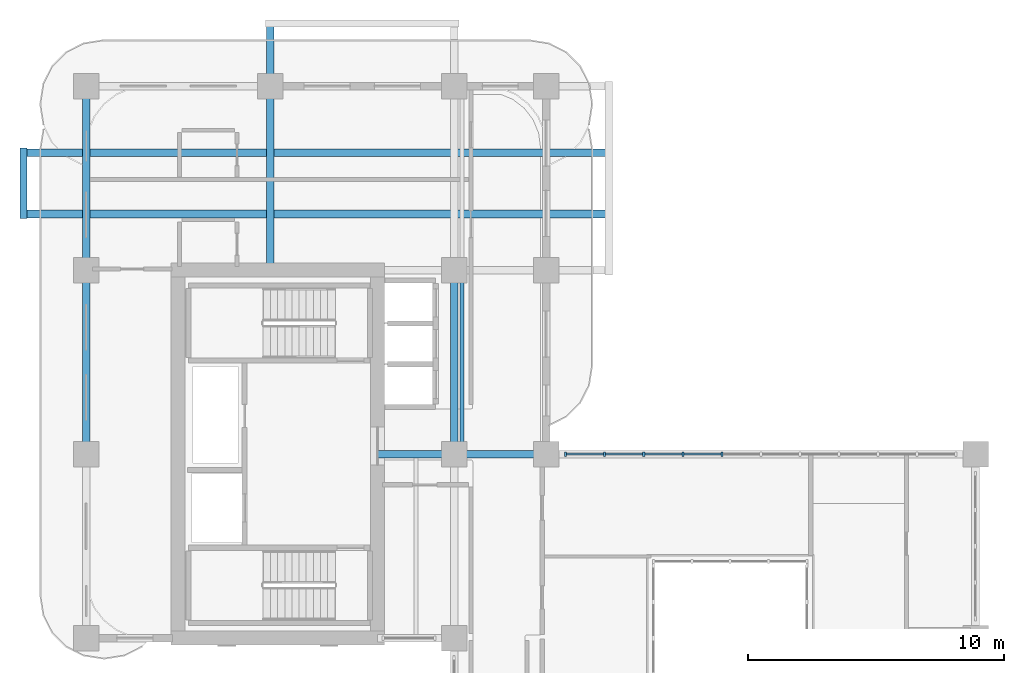
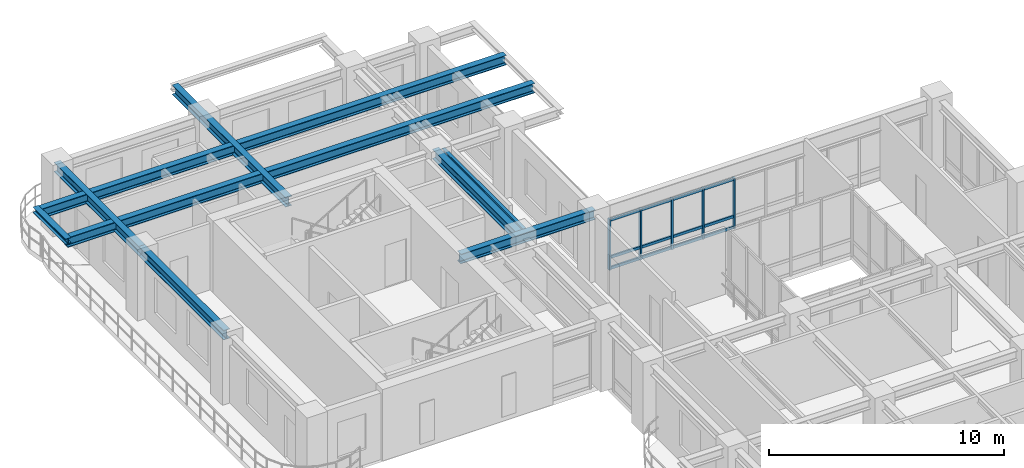
# One storey, part 5 of 20: 17 members, 9 beams, 1 element without a shape of its own.
"""IFC4 building model written with IfcOpenShell, lengths in metres."""

from ifc_helpers import new_model, si_unit, derived_unit, direction, frame, origin, origin_2d, place, context, subcontext, project, spatial, rectangle, i_section, extrude, source, transform, mapped, material, layer, layer_set, material_profile, profile_set, type_object, type_shapes, element, aggregate, save


model = new_model("IFC4")

# Units and contexts
model_context = context("Model", 3, precision=1e-05, world=origin(), true_north=direction((0.0, 1.0)))
body_context = subcontext(model_context, "Body", "Model", "MODEL_VIEW")
ifc_project = project(units=[si_unit("LENGTHUNIT", "METRE"), si_unit("AREAUNIT", "SQUARE_METRE"), si_unit("VOLUMEUNIT", "CUBIC_METRE"), si_unit("PLANEANGLEUNIT", "RADIAN"), si_unit("MASSUNIT", "GRAM", prefix="KILO"), si_unit("THERMODYNAMICTEMPERATUREUNIT", "KELVIN"), si_unit("POWERUNIT", "WATT"), derived_unit("THERMALTRANSMITTANCEUNIT", [(si_unit("POWERUNIT", "WATT"), 1), (si_unit("AREAUNIT", "SQUARE_METRE"), -1), (si_unit("THERMODYNAMICTEMPERATUREUNIT", "KELVIN"), -1)])], contexts=[model_context])

# Site, building, storey
site_placement = place(None, origin())
site = spatial("IfcSite", under=ifc_project, at=site_placement, CompositionType="ELEMENT")
building_placement = place(site_placement, origin())
building = spatial("IfcBuilding", under=site, at=building_placement, Name="Zahravan Archway Hotel and Residences", CompositionType="ELEMENT")
storey_placement = place(building_placement, frame((0.0, 0.0, 119.199951171875)))
storey = spatial("IfcBuildingStorey", under=building, at=storey_placement, Name="L29", CompositionType="ELEMENT", Elevation=119.199951171875)

# Beams
ifc_material_1 = material(Name="Structural Steel S355JR", Category="steel")
ifc_material_profile_1 = material_profile(ifc_material_1, i_section(OverallWidth=0.280029296875, OverallDepth=0.280029296875, WebThickness=0.010498046875, FlangeThickness=0.01806640625, FilletRadius=0.02392578125, at=origin_2d()), Name="HEB 280", Category="steel")
ifc_profile_set_1 = profile_set([ifc_material_profile_1], Name="Structural Steel S355JR")
beam_type_1 = type_object("IfcBeamType", Name="BM-SPN-HEB280", PredefinedType="SPANDREL", material=ifc_profile_set_1)
shared_shape_1 = source(origin(), body_context, "Body", "SweptSolid", [
    extrude(i_section(OverallWidth=0.280029296875, OverallDepth=0.280029296875, WebThickness=0.010498046875, FlangeThickness=0.01806640625, FilletRadius=0.02392578125, at=origin_2d()), origin(), (0.0, 0.0, 1.0), 2.759765625),
])
beam_1_placement = place(storey_placement, frame((-2.449951171875, 41.6201171875, 3.31005859375), z_axis=(0.0, 1.0, 0.0), x_axis=(-1.0, 0.0, 0.0)))
element("IfcBeam", 1, at=beam_1_placement, inside=storey, type_object=beam_type_1, Name="L30 WB Balcony Edge Spandrel", PredefinedType="SPANDREL", context=body_context, shape_type="MappedRepresentation", body=[
    mapped(shared_shape_1, transform((0.0, 0.0, 0.0), scale=1.0)),
])
ifc_material_profile_2 = material_profile(ifc_material_1, i_section(OverallWidth=0.300048828125, OverallDepth=0.5, WebThickness=0.014404296875, FlangeThickness=0.028076171875, FilletRadius=0.027099609375, at=origin_2d()), Name="HEB 500", Category="steel")
ifc_profile_set_2 = profile_set([ifc_material_profile_2], Name="Structural Steel S355JR")
beam_type_2 = type_object("IfcBeamType", Name="BM-PRI-HEB500", PredefinedType="BEAM", material=ifc_profile_set_2)
shared_shape_2 = source(origin(), body_context, "Body", "SweptSolid", [
    extrude(i_section(OverallWidth=0.300048828125, OverallDepth=0.5, WebThickness=0.014404296875, FlangeThickness=0.028076171875, FilletRadius=0.027099609375, at=origin_2d()), origin(), (0.0, 0.0, 1.0), 7.2001953125),
])
type_shapes(beam_type_2, [shared_shape_2])
for number, where, z_axis, x_axis, name in (
    (2, (0.0, 32.39990234375, 3.199951171875), (0.0, 1.0, 0.0), (-1.0, 0.0, 0.0), "L29 Primary Girder NS-25"),
    (3, (14.39990234375, 32.39990234375, 3.199951171875), (0.0, 1.0, 0.0), (-1.0, 0.0, 0.0), "L29 Primary Girder NS-33"),
):
    element("IfcBeam", number, at=place(storey_placement, frame(where, z_axis=z_axis, x_axis=x_axis)), inside=storey, type_object=beam_type_2, Name=name, PredefinedType="BEAM", context=body_context, shape_type="MappedRepresentation", body=[
        mapped(shared_shape_2, transform((0.0, 0.0, 0.0), scale=1.0)),
    ])
shared_shape_3 = source(origin(), body_context, "Body", "SweptSolid", [
    extrude(i_section(OverallWidth=0.300048828125, OverallDepth=0.5, WebThickness=0.014404296875, FlangeThickness=0.028076171875, FilletRadius=0.027099609375, at=origin_2d()), origin(), (0.0, 0.0, 1.0), 7.199951171875),
])
beam_2_placement = place(storey_placement, frame((0.0, 39.60009765625, 3.199951171875), z_axis=(0.0, 1.0, 0.0), x_axis=(-1.0, 0.0, 0.0)))
element("IfcBeam", 4, at=beam_2_placement, inside=storey, type_object=beam_type_2, Name="L29 Primary Girder NS-26", PredefinedType="BEAM", context=body_context, shape_type="MappedRepresentation", body=[
    mapped(shared_shape_3, transform((0.0, 0.0, 0.0), scale=1.0)),
])
shared_shape_4 = source(origin(), body_context, "Body", "SweptSolid", [
    extrude(i_section(OverallWidth=0.300048828125, OverallDepth=0.5, WebThickness=0.014404296875, FlangeThickness=0.028076171875, FilletRadius=0.027099609375, at=origin_2d()), origin(), (0.0, 0.0, 1.0), 6.60009765625),
])
beam_3_placement = place(storey_placement, frame((11.39990234375, 32.39990234375, 3.199951171875), z_axis=(1.0, 0.0, 0.0), x_axis=(0.0, 1.0, 0.0)))
element("IfcBeam", 5, at=beam_3_placement, inside=storey, type_object=beam_type_2, Name="L29 Primary Girder EW-17", PredefinedType="BEAM", context=body_context, shape_type="MappedRepresentation", body=[
    mapped(shared_shape_4, transform((0.0, 0.0, 0.0), scale=1.0)),
])
shared_shape_5 = source(origin(), body_context, "Body", "SweptSolid", [
    extrude(i_section(OverallWidth=0.300048828125, OverallDepth=0.5, WebThickness=0.014404296875, FlangeThickness=0.028076171875, FilletRadius=0.027099609375, at=origin_2d()), origin(), (0.0, 0.0, 1.0), 22.89990234375),
])
for number, where, z_axis, x_axis, name in (
    (6, (-2.449951171875, 41.800048828125, 3.199951171875), (1.0, 0.0, 0.0), (0.0, 1.0, 0.0), "L29 Primary Girder EW-22"),
    (7, (-2.449951171875, 44.199951171875, 3.199951171875), (1.0, 0.0, 0.0), (0.0, 1.0, 0.0), "L29 Primary Girder EW-23"),
):
    element("IfcBeam", number, at=place(storey_placement, frame(where, z_axis=z_axis, x_axis=x_axis)), inside=storey, type_object=beam_type_2, Name=name, PredefinedType="BEAM", context=body_context, shape_type="MappedRepresentation", body=[
        mapped(shared_shape_5, transform((0.0, 0.0, 0.0), scale=1.0)),
    ])
shared_shape_6 = source(origin(), body_context, "Body", "SweptSolid", [
    extrude(i_section(OverallWidth=0.300048828125, OverallDepth=0.5, WebThickness=0.014404296875, FlangeThickness=0.028076171875, FilletRadius=0.027099609375, at=origin_2d()), origin(), (0.0, 0.0, 1.0), 9.64990234375),
])
beam_4_placement = place(storey_placement, frame((7.199951171875, 39.60009765625, 3.199951171875), z_axis=(0.0, 1.0, 0.0), x_axis=(-1.0, 0.0, 0.0)))
element("IfcBeam", 8, at=beam_4_placement, inside=storey, type_object=beam_type_2, Name="L29 Primary Girder NS-27", PredefinedType="BEAM", context=body_context, shape_type="MappedRepresentation", body=[
    mapped(shared_shape_6, transform((0.0, 0.0, 0.0), scale=1.0)),
])
ifc_material_profile_3 = material_profile(ifc_material_1, i_section(OverallWidth=0.159912109375, OverallDepth=0.330078125, WebThickness=0.007568359375, FlangeThickness=0.011474609375, FilletRadius=0.01806640625, at=origin_2d()), Name="IPE 330", Category="steel")
ifc_profile_set_3 = profile_set([ifc_material_profile_3], Name="Structural Steel S355JR")
beam_type_3 = type_object("IfcBeamType", Name="BM-JST-IPE330", PredefinedType="JOIST", material=ifc_profile_set_3)
shared_shape_7 = source(origin(), body_context, "Body", "SweptSolid", [
    extrude(i_section(OverallWidth=0.159912109375, OverallDepth=0.330078125, WebThickness=0.007568359375, FlangeThickness=0.011474609375, FilletRadius=0.01806640625, at=origin_2d()), origin(), (0.0, 0.0, 1.0), 6.90380859375),
])
beam_5_placement = place(storey_placement, frame((14.699951171875, 32.548095703125, 3.28515625), z_axis=(0.0, 1.0, 0.0), x_axis=(-1.0, 0.0, 0.0)))
element("IfcBeam", 9, at=beam_5_placement, inside=storey, type_object=beam_type_3, Name="L29 Composite Floor Joist 11", PredefinedType="JOIST", context=body_context, shape_type="MappedRepresentation", body=[
    mapped(shared_shape_7, transform((0.0, 0.0, 0.0), scale=1.0)),
])

# Curtain wall, members
ifc_material_2 = material(Name="Bronze-Anodized Unitised Aluminium & Low-E Glass", Category="aluminium")
ifc_layer = layer(ifc_material_2, 0.179931640625, Name="Bronze-Anodized Unitised Aluminium & Low-E Glass", Category="aluminium")
ifc_layer_set = layer_set([ifc_layer], Name="Bronze-Anodized Unitised Aluminium & Low-E Glass")
curtain_wall_type = type_object("IfcCurtainWallType", Name="CW-ATR-GLAZ", PredefinedType="NOTDEFINED", material=ifc_layer_set)
curtain_wall_placement = place(storey_placement, origin())
curtain_wall = element("IfcCurtainWall", 10, at=curtain_wall_placement, inside=storey, type_object=curtain_wall_type, Name="L29 Curtain Wall CW-L29-HNG-N-1", PredefinedType="NOTDEFINED")
ifc_material_3 = material(Name="Bronze-Anodized Extruded Aluminium", Category="aluminium")
ifc_material_profile_4 = material_profile(ifc_material_3, rectangle(XDim=0.080078125, YDim=0.159912109375, at=origin_2d()), Name="MUL 80x160", Category="aluminium")
ifc_profile_set_4 = profile_set([ifc_material_profile_4], Name="Bronze-Anodized Extruded Aluminium")
member_type_1 = type_object("IfcMemberType", Name="CWM-MUL-160", PredefinedType="MULLION", material=ifc_profile_set_4)
shared_shape_8 = source(origin(), body_context, "Body", "SweptSolid", [
    extrude(rectangle(XDim=0.080078125, YDim=0.159912109375, at=origin_2d()), origin(), (0.0, 0.0, 1.0), 2.635009765625),
])
member_1_placement = place(storey_placement, frame((18.760009765625, 32.39990234375, 0.0), z_axis=(0.0, 0.0, 1.0), x_axis=(1.0, 0.0, 0.0)))
member_1 = element("IfcMember", 11, at=member_1_placement, type_object=member_type_1, Name="CW-L29-HNG-N-1 Mullion 0", PredefinedType="MULLION", context=body_context, shape_type="MappedRepresentation", body=[
    mapped(shared_shape_8, transform((0.0, 0.0, 0.0), scale=1.0)),
])
member_2_placement = place(storey_placement, frame((20.2880859375, 32.39990234375, 0.0), z_axis=(0.0, 0.0, 1.0), x_axis=(1.0, 0.0, 0.0)))
member_2 = element("IfcMember", 12, at=member_2_placement, type_object=member_type_1, Name="CW-L29-HNG-N-1 Mullion 1", PredefinedType="MULLION", context=body_context, shape_type="MappedRepresentation", body=[
    mapped(shared_shape_8, transform((0.0, 0.0, 0.0), scale=1.0)),
])
member_3_placement = place(storey_placement, frame((21.81591796875, 32.39990234375, 0.0), z_axis=(0.0, 0.0, 1.0), x_axis=(1.0, 0.0, 0.0)))
member_3 = element("IfcMember", 13, at=member_3_placement, type_object=member_type_1, Name="CW-L29-HNG-N-1 Mullion 2", PredefinedType="MULLION", context=body_context, shape_type="MappedRepresentation", body=[
    mapped(shared_shape_8, transform((0.0, 0.0, 0.0), scale=1.0)),
])
member_4_placement = place(storey_placement, frame((23.343994140625, 32.39990234375, 0.0), z_axis=(0.0, 0.0, 1.0), x_axis=(1.0, 0.0, 0.0)))
member_4 = element("IfcMember", 14, at=member_4_placement, type_object=member_type_1, Name="CW-L29-HNG-N-1 Mullion 3", PredefinedType="MULLION", context=body_context, shape_type="MappedRepresentation", body=[
    mapped(shared_shape_8, transform((0.0, 0.0, 0.0), scale=1.0)),
])
member_5_placement = place(storey_placement, frame((24.8720703125, 32.39990234375, 0.0), z_axis=(0.0, 0.0, 1.0), x_axis=(1.0, 0.0, 0.0)))
member_5 = element("IfcMember", 15, at=member_5_placement, type_object=member_type_1, Name="CW-L29-HNG-N-1 Mullion 4", PredefinedType="MULLION", context=body_context, shape_type="MappedRepresentation", body=[
    mapped(shared_shape_8, transform((0.0, 0.0, 0.0), scale=1.0)),
])
ifc_material_profile_5 = material_profile(ifc_material_3, rectangle(XDim=0.080078125, YDim=0.139892578125, at=origin_2d()), Name="TRN 80x140", Category="aluminium")
ifc_profile_set_5 = profile_set([ifc_material_profile_5], Name="Bronze-Anodized Extruded Aluminium")
member_type_2 = type_object("IfcMemberType", Name="CWM-TRN-140", PredefinedType="USERDEFINED", material=ifc_profile_set_5)
shared_shape_9 = source(origin(), body_context, "Body", "SweptSolid", [
    extrude(rectangle(XDim=0.080078125, YDim=0.139892578125, at=origin_2d()), origin(), (0.0, 0.0, 1.0), 1.447998046875),
])
member_6_placement = place(storey_placement, frame((18.800048828125, 32.39990234375, 0.070068359375), z_axis=(1.0, 0.0, 0.0), x_axis=(0.0, 1.0, 0.0)))
member_6 = element("IfcMember", 16, at=member_6_placement, type_object=member_type_2, Name="CW-L29-HNG-N-1 Transom 0-1", ObjectType="TRANSOM", PredefinedType="USERDEFINED", context=body_context, shape_type="MappedRepresentation", body=[
    mapped(shared_shape_9, transform((0.0, 0.0, 0.0), scale=1.0)),
])
member_7_placement = place(storey_placement, frame((18.800048828125, 32.39990234375, 0.632568359375), z_axis=(1.0, 0.0, 0.0), x_axis=(0.0, 1.0, 0.0)))
member_7 = element("IfcMember", 17, at=member_7_placement, type_object=member_type_2, Name="CW-L29-HNG-N-1 Transom 0-2", ObjectType="TRANSOM", PredefinedType="USERDEFINED", context=body_context, shape_type="MappedRepresentation", body=[
    mapped(shared_shape_9, transform((0.0, 0.0, 0.0), scale=1.0)),
])
member_8_placement = place(storey_placement, frame((18.800048828125, 32.39990234375, 2.56494140625), z_axis=(1.0, 0.0, 0.0), x_axis=(0.0, 1.0, 0.0)))
member_8 = element("IfcMember", 18, at=member_8_placement, type_object=member_type_2, Name="CW-L29-HNG-N-1 Transom 0-3", ObjectType="TRANSOM", PredefinedType="USERDEFINED", context=body_context, shape_type="MappedRepresentation", body=[
    mapped(shared_shape_9, transform((0.0, 0.0, 0.0), scale=1.0)),
])
member_9_placement = place(storey_placement, frame((20.327880859375, 32.39990234375, 0.070068359375), z_axis=(1.0, 0.0, 0.0), x_axis=(0.0, 1.0, 0.0)))
member_9 = element("IfcMember", 19, at=member_9_placement, type_object=member_type_2, Name="CW-L29-HNG-N-1 Transom 1-1", ObjectType="TRANSOM", PredefinedType="USERDEFINED", context=body_context, shape_type="MappedRepresentation", body=[
    mapped(shared_shape_9, transform((0.0, 0.0, 0.0), scale=1.0)),
])
member_10_placement = place(storey_placement, frame((20.327880859375, 32.39990234375, 0.632568359375), z_axis=(1.0, 0.0, 0.0), x_axis=(0.0, 1.0, 0.0)))
member_10 = element("IfcMember", 20, at=member_10_placement, type_object=member_type_2, Name="CW-L29-HNG-N-1 Transom 1-2", ObjectType="TRANSOM", PredefinedType="USERDEFINED", context=body_context, shape_type="MappedRepresentation", body=[
    mapped(shared_shape_9, transform((0.0, 0.0, 0.0), scale=1.0)),
])
member_11_placement = place(storey_placement, frame((20.327880859375, 32.39990234375, 2.56494140625), z_axis=(1.0, 0.0, 0.0), x_axis=(0.0, 1.0, 0.0)))
member_11 = element("IfcMember", 21, at=member_11_placement, type_object=member_type_2, Name="CW-L29-HNG-N-1 Transom 1-3", ObjectType="TRANSOM", PredefinedType="USERDEFINED", context=body_context, shape_type="MappedRepresentation", body=[
    mapped(shared_shape_9, transform((0.0, 0.0, 0.0), scale=1.0)),
])
member_12_placement = place(storey_placement, frame((21.85595703125, 32.39990234375, 0.070068359375), z_axis=(1.0, 0.0, 0.0), x_axis=(0.0, 1.0, 0.0)))
member_12 = element("IfcMember", 22, at=member_12_placement, type_object=member_type_2, Name="CW-L29-HNG-N-1 Transom 2-1", ObjectType="TRANSOM", PredefinedType="USERDEFINED", context=body_context, shape_type="MappedRepresentation", body=[
    mapped(shared_shape_9, transform((0.0, 0.0, 0.0), scale=1.0)),
])
member_13_placement = place(storey_placement, frame((21.85595703125, 32.39990234375, 0.632568359375), z_axis=(1.0, 0.0, 0.0), x_axis=(0.0, 1.0, 0.0)))
member_13 = element("IfcMember", 23, at=member_13_placement, type_object=member_type_2, Name="CW-L29-HNG-N-1 Transom 2-2", ObjectType="TRANSOM", PredefinedType="USERDEFINED", context=body_context, shape_type="MappedRepresentation", body=[
    mapped(shared_shape_9, transform((0.0, 0.0, 0.0), scale=1.0)),
])
member_14_placement = place(storey_placement, frame((21.85595703125, 32.39990234375, 2.56494140625), z_axis=(1.0, 0.0, 0.0), x_axis=(0.0, 1.0, 0.0)))
member_14 = element("IfcMember", 24, at=member_14_placement, type_object=member_type_2, Name="CW-L29-HNG-N-1 Transom 2-3", ObjectType="TRANSOM", PredefinedType="USERDEFINED", context=body_context, shape_type="MappedRepresentation", body=[
    mapped(shared_shape_9, transform((0.0, 0.0, 0.0), scale=1.0)),
])
member_15_placement = place(storey_placement, frame((23.384033203125, 32.39990234375, 0.070068359375), z_axis=(1.0, 0.0, 0.0), x_axis=(0.0, 1.0, 0.0)))
member_15 = element("IfcMember", 25, at=member_15_placement, type_object=member_type_2, Name="CW-L29-HNG-N-1 Transom 3-1", ObjectType="TRANSOM", PredefinedType="USERDEFINED", context=body_context, shape_type="MappedRepresentation", body=[
    mapped(shared_shape_9, transform((0.0, 0.0, 0.0), scale=1.0)),
])
member_16_placement = place(storey_placement, frame((23.384033203125, 32.39990234375, 0.632568359375), z_axis=(1.0, 0.0, 0.0), x_axis=(0.0, 1.0, 0.0)))
member_16 = element("IfcMember", 26, at=member_16_placement, type_object=member_type_2, Name="CW-L29-HNG-N-1 Transom 3-2", ObjectType="TRANSOM", PredefinedType="USERDEFINED", context=body_context, shape_type="MappedRepresentation", body=[
    mapped(shared_shape_9, transform((0.0, 0.0, 0.0), scale=1.0)),
])
member_17_placement = place(storey_placement, frame((23.384033203125, 32.39990234375, 2.56494140625), z_axis=(1.0, 0.0, 0.0), x_axis=(0.0, 1.0, 0.0)))
member_17 = element("IfcMember", 27, at=member_17_placement, type_object=member_type_2, Name="CW-L29-HNG-N-1 Transom 3-3", ObjectType="TRANSOM", PredefinedType="USERDEFINED", context=body_context, shape_type="MappedRepresentation", body=[
    mapped(shared_shape_9, transform((0.0, 0.0, 0.0), scale=1.0)),
])
aggregate(curtain_wall, [member_1, member_2, member_3, member_4, member_5, member_6, member_7, member_8, member_9, member_10, member_11, member_12, member_13, member_14, member_15, member_16, member_17])

save(model, "model.ifc")
